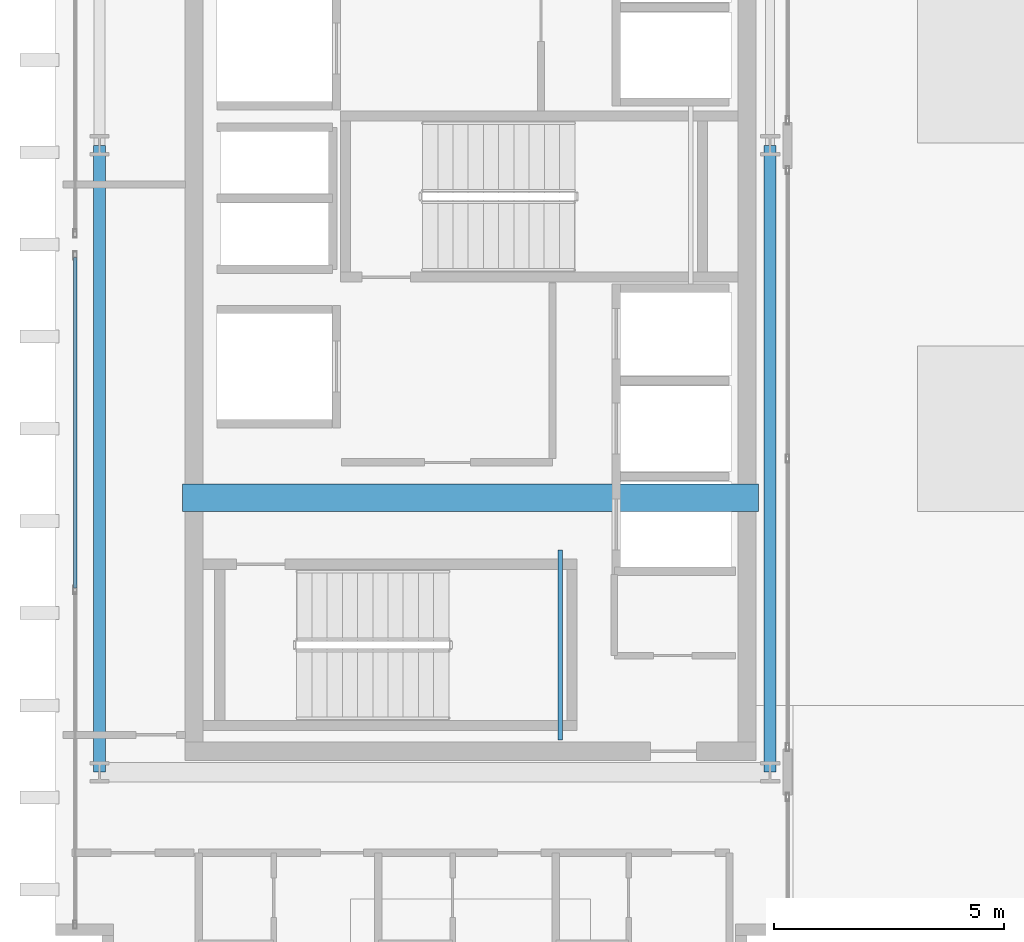
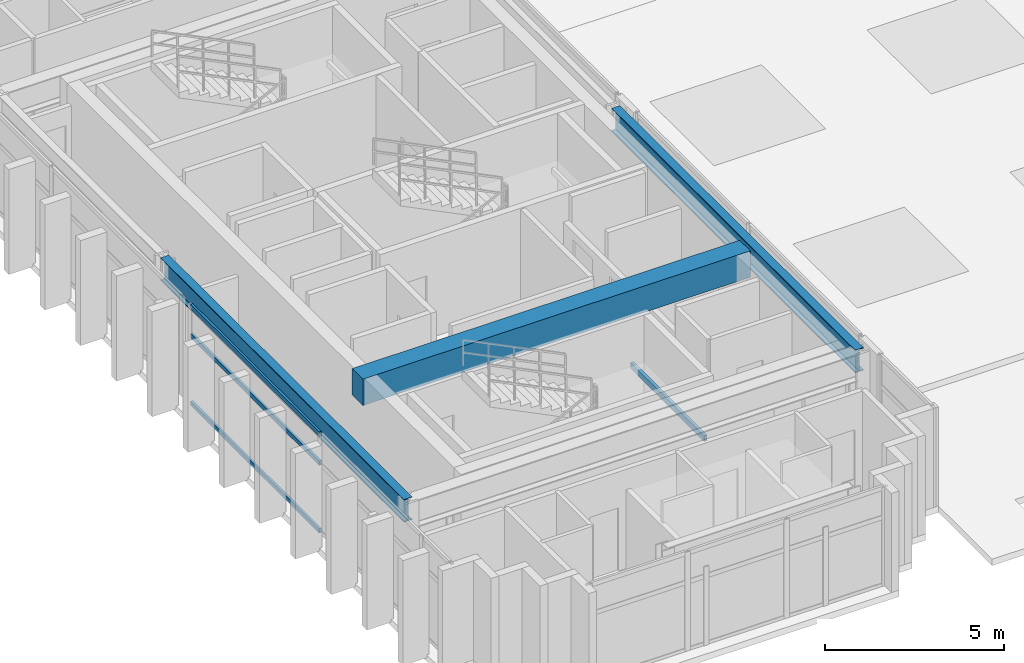
# One storey, part 3 of 25: 4 beams, 3 members, 1 element without a shape of its own.
"""IFC4 building model written with IfcOpenShell, lengths in metres."""

import ifcopenshell
import ifcopenshell.guid

model = None  # the IFC model being written
_history = None  # IfcOwnerHistory: only IFC2X3 demands one
_inside = {}  # id of a spatial element -> (the spatial element, [elements in it])
_under = {}  # id of a project, library or spatial element -> (it, [spatial elements below it])
_declared = {}  # id of a project -> (the project, [libraries it declares])
_typed = {}  # id of a type object -> (the type object, [elements of that type])
_made_of = {}  # id of a material, layer set ... -> (it, [elements and type objects made of it])


def new_model(schema):
    """Start an empty IFC model of exactly this schema.

    Asked for "IFC4X3", IfcOpenShell would pick the latest addendum, in which some entities
    have other attributes; the version numbers below select the first issue.
    IFC2X3 requires an IfcOwnerHistory on every rooted entity: one is made here for all.
    """
    global model, _history
    if schema == "IFC4X3":
        model = ifcopenshell.file(schema_version=(4, 3, 0, 0))
    else:
        model = ifcopenshell.file(schema=schema)
    _inside.clear()
    _under.clear()
    _declared.clear()
    _typed.clear()
    _made_of.clear()
    _history = None
    if model.schema == "IFC2X3":
        org = make("IfcOrganization", Name="unknown")
        user = make(
            "IfcPersonAndOrganization",
            ThePerson=make("IfcPerson", FamilyName="unknown"),
            TheOrganization=org,
        )
        app = make(
            "IfcApplication",
            ApplicationDeveloper=org,
            Version="unknown",
            ApplicationFullName="unknown",
            ApplicationIdentifier="unknown",
        )
        _history = make(
            "IfcOwnerHistory",
            OwningUser=user,
            OwningApplication=app,
            ChangeAction="ADDED",
            CreationDate=0,
        )
    return model


def make(cls, **values):
    """One entity of the class cls with the attributes given. An attribute that is None is left unset."""
    return model.create_entity(
        cls, **{name: value for name, value in values.items() if value is not None}
    )


def rooted(cls, **values):
    """An entity with a GlobalId (a new one), such as an element, a storey or a relation."""
    return make(cls, GlobalId=ifcopenshell.guid.new(), OwnerHistory=_history, **values)


def si_unit(unit_type, name, prefix=None):
    """IfcSIUnit, for example si_unit("LENGTHUNIT", "METRE", prefix="MILLI")."""
    return make("IfcSIUnit", UnitType=unit_type, Prefix=prefix, Name=name)


def assignment(units):
    """IfcUnitAssignment: the units of a project."""
    return None if units is None else make("IfcUnitAssignment", Units=units)


def point(xyz):
    """IfcCartesianPoint."""
    return None if xyz is None else make("IfcCartesianPoint", Coordinates=xyz)


def direction(xyz):
    """IfcDirection."""
    return None if xyz is None else make("IfcDirection", DirectionRatios=xyz)


def frame(location, z_axis=None, x_axis=None):
    """IfcAxis2Placement3D, a coordinate frame: its origin and axes. An axis left out is left unset."""
    return make(
        "IfcAxis2Placement3D",
        Location=point(location),
        Axis=direction(z_axis),
        RefDirection=direction(x_axis),
    )


def frame_2d(location, x_axis=None):
    """IfcAxis2Placement2D, a coordinate frame in the plane: its origin and x axis."""
    return make(
        "IfcAxis2Placement2D", Location=point(location), RefDirection=direction(x_axis)
    )


def origin():
    """The frame at (0, 0, 0) with its axes left unset."""
    return frame((0.0, 0.0, 0.0))


def origin_2d():
    """The frame at (0, 0) in the plane with its x axis left unset."""
    return frame_2d((0.0, 0.0))


def place(relative_to, where):
    """IfcLocalPlacement: puts the frame where relative to a parent placement (None: the world)."""
    return make(
        "IfcLocalPlacement", PlacementRelTo=relative_to, RelativePlacement=where
    )


def context(
    kind, dimensions, precision=None, world=None, true_north=None, identifier=None
):
    """IfcGeometricRepresentationContext, for example the 3D "Model" context."""
    return make(
        "IfcGeometricRepresentationContext",
        ContextIdentifier=identifier,
        ContextType=kind,
        CoordinateSpaceDimension=dimensions,
        Precision=precision,
        WorldCoordinateSystem=world,
        TrueNorth=true_north,
    )


def subcontext(parent, identifier, kind, view, scale=None):
    """IfcGeometricRepresentationSubContext, for example "Body" below "Model"."""
    return make(
        "IfcGeometricRepresentationSubContext",
        ContextIdentifier=identifier,
        ContextType=kind,
        ParentContext=parent,
        TargetScale=scale,
        TargetView=view,
    )


def project(units=None, contexts=None):
    """IfcProject with its units and contexts."""
    return rooted(
        "IfcProject",
        Name="project",
        RepresentationContexts=contexts,
        UnitsInContext=assignment(units),
    )


def spatial(cls, under=None, at=None, **own):
    """A site, building, storey or space (cls), placed at a placement, below another one or the project."""
    s = rooted(cls, ObjectPlacement=at, **own)
    if under is not None:
        _under.setdefault(under.id(), (under, []))[1].append(s)
    return s


def profile(cls, at=None, kind="AREA", **sizes):
    """A parametric profile (cls). Its sizes go by their IFC names, for example OverallWidth=200.0."""
    return make(cls, ProfileType=kind, Position=at, **sizes)


def rectangle(**sizes):
    """IfcRectangleProfileDef."""
    return profile("IfcRectangleProfileDef", **sizes)


def hollow_rectangle(**sizes):
    """IfcRectangleHollowProfileDef."""
    return profile("IfcRectangleHollowProfileDef", **sizes)


def i_section(**sizes):
    """IfcIShapeProfileDef."""
    return profile("IfcIShapeProfileDef", **sizes)


def extrude(swept, where, along, depth):
    """IfcExtrudedAreaSolid: the profile swept, set in the frame where, extruded along a direction by depth."""
    return make(
        "IfcExtrudedAreaSolid",
        SweptArea=swept,
        Position=where,
        ExtrudedDirection=direction(along),
        Depth=depth,
    )


def shape(context_of_items, identifier, shape_type, items):
    """IfcShapeRepresentation: the items that make up one representation, for example the "Body"."""
    return make(
        "IfcShapeRepresentation",
        ContextOfItems=context_of_items,
        RepresentationIdentifier=identifier,
        RepresentationType=shape_type,
        Items=items,
    )


def source(mapping_origin, context_of_items, identifier, shape_type, items):
    """IfcRepresentationMap: a shape defined once, which mapped items show again and again."""
    return make(
        "IfcRepresentationMap",
        MappingOrigin=mapping_origin,
        MappedRepresentation=shape(context_of_items, identifier, shape_type, items),
    )


def transform(
    local_origin,
    x_axis=None,
    y_axis=None,
    z_axis=None,
    scale=None,
    scale2=None,
    scale3=None,
    uniform=True,
):
    """IfcCartesianTransformationOperator3D, or its non-uniform kind. x_axis, y_axis, z_axis: its Axis1, 2, 3."""
    if uniform:
        return make(
            "IfcCartesianTransformationOperator3D",
            Axis1=direction(x_axis),
            Axis2=direction(y_axis),
            LocalOrigin=point(local_origin),
            Scale=scale,
            Axis3=direction(z_axis),
        )
    return make(
        "IfcCartesianTransformationOperator3DnonUniform",
        Axis1=direction(x_axis),
        Axis2=direction(y_axis),
        LocalOrigin=point(local_origin),
        Scale=scale,
        Axis3=direction(z_axis),
        Scale2=scale2,
        Scale3=scale3,
    )


def mapped(mapping_source, mapping_target):
    """IfcMappedItem: shows the shape of a source again, moved by a transform."""
    return make(
        "IfcMappedItem", MappingSource=mapping_source, MappingTarget=mapping_target
    )


def material(Name=None, Category=None):
    """IfcMaterial."""
    return make("IfcMaterial", Name=Name, Category=Category)


def layer(
    of_material, thickness, ventilated=None, Name=None, Category=None, Priority=None
):
    """IfcMaterialLayer: one layer of a wall or slab, of a material (None: an air gap)."""
    return make(
        "IfcMaterialLayer",
        Material=of_material,
        LayerThickness=thickness,
        IsVentilated=ventilated,
        Name=Name,
        Category=Category,
        Priority=Priority,
    )


def layer_set(layers, Name=None):
    """IfcMaterialLayerSet."""
    return make("IfcMaterialLayerSet", MaterialLayers=layers, LayerSetName=Name)


def material_profile(
    of_material, cross_section, Name=None, Category=None, Priority=None
):
    """IfcMaterialProfile: a cross section and its material."""
    return make(
        "IfcMaterialProfile",
        Name=Name,
        Material=of_material,
        Profile=cross_section,
        Priority=Priority,
        Category=Category,
    )


def profile_set(profiles, Name=None, composite=None):
    """IfcMaterialProfileSet."""
    return make(
        "IfcMaterialProfileSet",
        Name=Name,
        MaterialProfiles=profiles,
        CompositeProfile=composite,
    )


def made_of(thing, what):
    """Note that an element or type object is made of a material, layer set ...; save() writes the relation."""
    if what is not None:
        _made_of.setdefault(what.id(), (what, []))[1].append(thing)
    return thing


def type_object(cls, material=None, **own):
    """A type object (cls), such as IfcWallType, which elements share."""
    return made_of(rooted(cls, **own), material)


def element(
    cls,
    number,
    at=None,
    inside=None,
    cuts=None,
    type_object=None,
    material=None,
    context=None,
    identifier="Body",
    shape_type=None,
    held_by="IfcProductDefinitionShape",
    body=None,
    shapes=None,
    **own,
):
    """One element of the class cls, such as IfcWall. Its Tag is "e" and its number.

    at: its placement. inside: the storey or other place that contains it. cuts: it is an
    opening in that element (IfcRelVoidsElement). A single representation is given by context,
    identifier, shape_type and body (its items); several are given by shapes. held_by: the class
    of the entity that holds the representations. save() writes the other relations.
    """
    e = rooted(cls, Tag="e%d" % number, ObjectPlacement=at, **own)
    if body is not None:
        shapes = [shape(context, identifier, shape_type, body)]
    if shapes is not None:
        e.Representation = make(held_by, Representations=shapes)
    if inside is not None:
        _inside.setdefault(inside.id(), (inside, []))[1].append(e)
    if cuts is not None:
        rooted(
            "IfcRelVoidsElement", RelatingBuildingElement=cuts, RelatedOpeningElement=e
        )
    if type_object is not None:
        _typed.setdefault(type_object.id(), (type_object, []))[1].append(e)
    return made_of(e, material)


def aggregate(whole, parts):
    """IfcRelAggregates: a whole, such as a stair, and the parts it consists of."""
    return rooted("IfcRelAggregates", RelatingObject=whole, RelatedObjects=parts)


def save(model, path):
    """Write the relations noted so far, then the file.

    IfcRelAggregates (storeys below a building ...), IfcRelContainedInSpatialStructure (elements
    in a storey), IfcRelDefinesByType, IfcRelAssociatesMaterial and IfcRelDeclares: one each for
    every whole, place, type object, material and project.
    """
    for whole, parts in _under.values():
        aggregate(whole, parts)
    for where, things in _inside.values():
        rooted(
            "IfcRelContainedInSpatialStructure",
            RelatedElements=things,
            RelatingStructure=where,
        )
    for kind, things in _typed.values():
        rooted("IfcRelDefinesByType", RelatedObjects=things, RelatingType=kind)
    for what, things in _made_of.values():
        rooted("IfcRelAssociatesMaterial", RelatedObjects=things, RelatingMaterial=what)
    for by, libraries in _declared.values():
        rooted("IfcRelDeclares", RelatingContext=by, RelatedDefinitions=libraries)
    model.write(path)


model = new_model("IFC4")

# Units and contexts
model_context = context("Model", 3, precision=1e-05, world=origin(), true_north=direction((0.0, 1.0)))
body_context = subcontext(model_context, "Body", "Model", "MODEL_VIEW")
ifc_project = project(units=[si_unit("LENGTHUNIT", "METRE"), si_unit("AREAUNIT", "SQUARE_METRE"), si_unit("VOLUMEUNIT", "CUBIC_METRE"), si_unit("PLANEANGLEUNIT", "RADIAN"), si_unit("MASSUNIT", "GRAM", prefix="KILO")], contexts=[model_context])

# Site, building, storey
site_placement = place(None, origin())
site = spatial("IfcSite", under=ifc_project, at=site_placement, CompositionType="ELEMENT")
building_placement = place(site_placement, origin())
building = spatial("IfcBuilding", under=site, at=building_placement, Name="Ocotamira Hotel", CompositionType="ELEMENT")
storey_placement = place(building_placement, frame((0.0, 0.0, 250.800048828125)))
storey = spatial("IfcBuildingStorey", under=building, at=storey_placement, Name="L63", CompositionType="ELEMENT", Elevation=250.800048828125)

# Beams
ifc_material_1 = material(Name="Concrete C50/60", Category="concrete")
ifc_material_profile_1 = material_profile(ifc_material_1, rectangle(XDim=0.60009765625, YDim=0.89990234375, at=origin_2d()), Name="RC600X900")
ifc_profile_set_1 = profile_set([ifc_material_profile_1], Name="Concrete C50/60")
beam_type_1 = type_object("IfcBeamType", Name="BM-LINK-RC600", PredefinedType="LINTEL", material=ifc_profile_set_1)
shared_shape_1 = source(origin(), body_context, "Body", "SweptSolid", [
    extrude(rectangle(XDim=0.60009765625, YDim=0.89990234375, at=origin_2d()), origin(), (0.0, 0.0, 1.0), 12.5),
])
beam_1_placement = place(storey_placement, frame((10.75, 20.5, 2.929931640625), z_axis=(1.0, 0.0, 0.0), x_axis=(0.0, 1.0, 0.0)))
element("IfcBeam", 1, at=beam_1_placement, inside=storey, type_object=beam_type_1, Name="L63 West Core Coupling Beam", PredefinedType="LINTEL", context=body_context, shape_type="MappedRepresentation", body=[
    mapped(shared_shape_1, transform((0.0, 0.0, 0.0), scale=1.0)),
])
ifc_material_2 = material(Name="Steel ASTM A500 Grade C", Category="steel")
ifc_material_profile_2 = material_profile(ifc_material_2, hollow_rectangle(XDim=0.10009765625, YDim=0.199951171875, WallThickness=0.008056640625, at=origin_2d()), Name="HSS200X100X8")
ifc_profile_set_2 = profile_set([ifc_material_profile_2], Name="Steel ASTM A500 Grade C")
beam_type_2 = type_object("IfcBeamType", Name="BM-STLDG-HSS200", PredefinedType="BEAM", material=ifc_profile_set_2)
shared_shape_2 = source(origin(), body_context, "Body", "SweptSolid", [
    extrude(hollow_rectangle(XDim=0.10009765625, YDim=0.199951171875, WallThickness=0.008056640625, at=origin_2d()), origin(), (0.0, 0.0, 1.0), 4.1201171875),
])
beam_2_placement = place(storey_placement, frame((18.949951171875, 15.25, 1.5), z_axis=(0.0, 1.0, 0.0), x_axis=(-1.0, 0.0, 0.0)))
element("IfcBeam", 2, at=beam_2_placement, inside=storey, type_object=beam_type_2, Name="L63 Stair ST-1 Landing Bearer 1", PredefinedType="BEAM", context=body_context, shape_type="MappedRepresentation", body=[
    mapped(shared_shape_2, transform((0.0, 0.0, 0.0), scale=1.0)),
])
ifc_material_3 = material(Name="Steel ASTM A992 Grade 50", Category="steel")
ifc_material_profile_3 = material_profile(ifc_material_3, i_section(OverallWidth=0.26611328125, OverallDepth=0.779052734375, WebThickness=0.0166015625, FlangeThickness=0.030029296875, FilletRadius=0.01806640625, at=origin_2d()), Name="W30X148")
ifc_profile_set_3 = profile_set([ifc_material_profile_3], Name="Steel ASTM A992 Grade 50")
beam_type_3 = type_object("IfcBeamType", Name="BM-GIRD-W30X148", PredefinedType="BEAM", material=ifc_profile_set_3)
shared_shape_3 = source(origin(), body_context, "Body", "SweptSolid", [
    extrude(i_section(OverallWidth=0.26611328125, OverallDepth=0.779052734375, WebThickness=0.0166015625, FlangeThickness=0.030029296875, FilletRadius=0.01806640625, at=origin_2d()), origin(), (0.0, 0.0, 1.0), 13.599853515625),
])
for number, where, z_axis, x_axis, name in (
    (3, (8.949951171875, 14.550048828125, 2.990478515625), (0.0, 1.0, 0.0), (-1.0, 0.0, 0.0), "L63 Beam X8.95 Y14.55-28.15"),
    (4, (23.5, 14.550048828125, 2.990478515625), (0.0, 1.0, 0.0), (-1.0, 0.0, 0.0), "L63 Beam X23.5 Y14.55-28.15"),
):
    element("IfcBeam", number, at=place(storey_placement, frame(where, z_axis=z_axis, x_axis=x_axis)), inside=storey, type_object=beam_type_3, Name=name, PredefinedType="BEAM", context=body_context, shape_type="MappedRepresentation", body=[
        mapped(shared_shape_3, transform((0.0, 0.0, 0.0), scale=1.0)),
    ])

# Curtain wall, members
ifc_material_4 = material(Name="Anodised pale-metal aluminium and solar glass", Category="aluminium")
ifc_layer = layer(ifc_material_4, 0.2099609375)
ifc_layer_set = layer_set([ifc_layer], Name="Anodised pale-metal aluminium and solar glass")
curtain_wall_type = type_object("IfcCurtainWallType", Name="CW-SYS7-PEAK", PredefinedType="NOTDEFINED", material=ifc_layer_set)
curtain_wall_placement = place(storey_placement, origin())
curtain_wall = element("IfcCurtainWall", 5, at=curtain_wall_placement, inside=storey, type_object=curtain_wall_type, Name="L63 Curtain Wall CW-7 CW-L63-WO1", PredefinedType="NOTDEFINED")
ifc_material_5 = material(Name="Anodised pale-metal aluminium 6063-T6", Category="aluminium")
ifc_material_profile_4 = material_profile(ifc_material_5, hollow_rectangle(XDim=0.074951171875, YDim=0.14990234375, WallThickness=0.006103515625, at=origin_2d()), Name="HSS150X75X6")
ifc_profile_set_4 = profile_set([ifc_material_profile_4], Name="Anodised pale-metal aluminium 6063-T6")
member_type = type_object("IfcMemberType", Name="CWT-150X75", PredefinedType="USERDEFINED", material=ifc_profile_set_4)
shared_shape_4 = source(origin(), body_context, "Body", "SweptSolid", [
    extrude(hollow_rectangle(XDim=0.074951171875, YDim=0.14990234375, WallThickness=0.006103515625, at=origin_2d()), origin(), (0.0, 0.0, 1.0), 7.179931640625),
])
member_1_placement = place(storey_placement, frame((8.419921875, 18.5400390625, 0.037353515625), z_axis=(0.0, 1.0, 0.0), x_axis=(-1.0, 0.0, 0.0)))
member_1 = element("IfcMember", 6, at=member_1_placement, type_object=member_type, Name="CW-7 transom 2.1", ObjectType="TRANSOM", PredefinedType="USERDEFINED", context=body_context, shape_type="MappedRepresentation", body=[
    mapped(shared_shape_4, transform((0.0, 0.0, 0.0), scale=1.0)),
])
member_2_placement = place(storey_placement, frame((8.419921875, 18.5400390625, 2.349853515625), z_axis=(0.0, 1.0, 0.0), x_axis=(-1.0, 0.0, 0.0)))
member_2 = element("IfcMember", 7, at=member_2_placement, type_object=member_type, Name="CW-7 transom 2.2", ObjectType="TRANSOM", PredefinedType="USERDEFINED", context=body_context, shape_type="MappedRepresentation", body=[
    mapped(shared_shape_4, transform((0.0, 0.0, 0.0), scale=1.0)),
])
member_3_placement = place(storey_placement, frame((8.419921875, 18.5400390625, 3.342529296875), z_axis=(0.0, 1.0, 0.0), x_axis=(-1.0, 0.0, 0.0)))
member_3 = element("IfcMember", 8, at=member_3_placement, type_object=member_type, Name="CW-7 transom 2.3", ObjectType="TRANSOM", PredefinedType="USERDEFINED", context=body_context, shape_type="MappedRepresentation", body=[
    mapped(shared_shape_4, transform((0.0, 0.0, 0.0), scale=1.0)),
])
aggregate(curtain_wall, [member_1, member_2, member_3])

save(model, "model.ifc")
